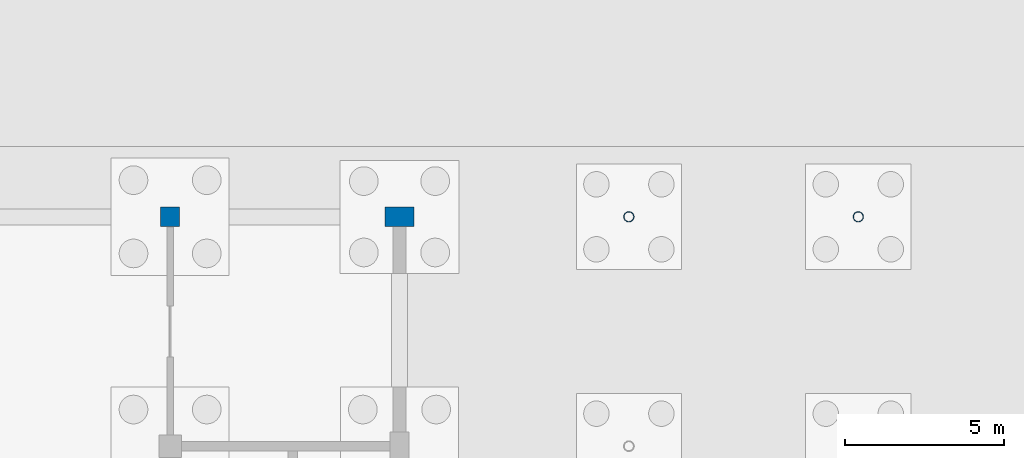
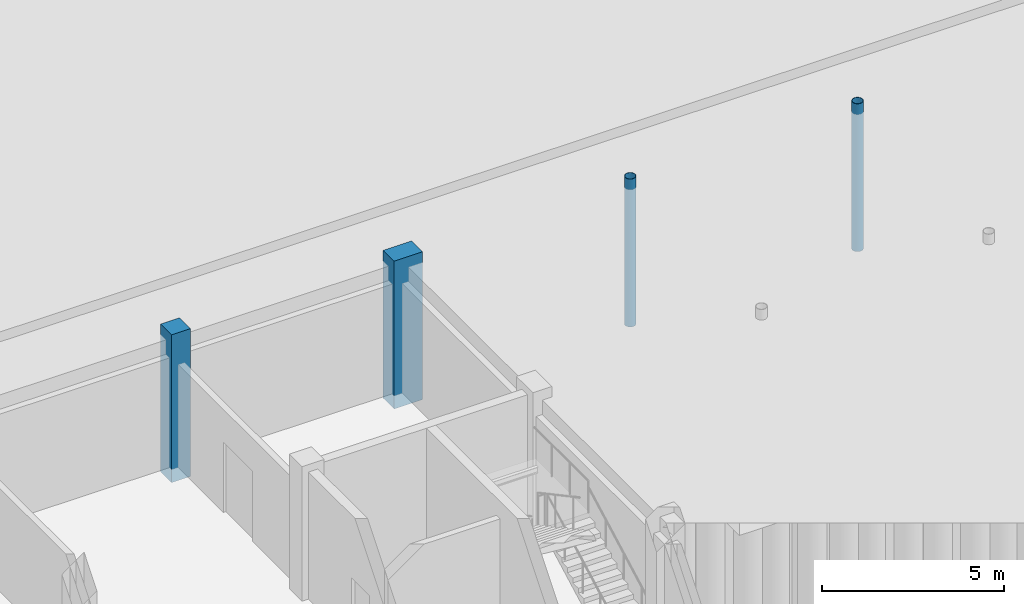
# One storey, part 16 of 51: 4 columns.
"""IFC4 building model written with IfcOpenShell, lengths in metres."""

import ifcopenshell
import ifcopenshell.guid

model = None  # the IFC model being written
_history = None  # IfcOwnerHistory: only IFC2X3 demands one
_inside = {}  # id of a spatial element -> (the spatial element, [elements in it])
_under = {}  # id of a project, library or spatial element -> (it, [spatial elements below it])
_declared = {}  # id of a project -> (the project, [libraries it declares])
_typed = {}  # id of a type object -> (the type object, [elements of that type])
_made_of = {}  # id of a material, layer set ... -> (it, [elements and type objects made of it])


def new_model(schema):
    """Start an empty IFC model of exactly this schema.

    Asked for "IFC4X3", IfcOpenShell would pick the latest addendum, in which some entities
    have other attributes; the version numbers below select the first issue.
    IFC2X3 requires an IfcOwnerHistory on every rooted entity: one is made here for all.
    """
    global model, _history
    if schema == "IFC4X3":
        model = ifcopenshell.file(schema_version=(4, 3, 0, 0))
    else:
        model = ifcopenshell.file(schema=schema)
    _inside.clear()
    _under.clear()
    _declared.clear()
    _typed.clear()
    _made_of.clear()
    _history = None
    if model.schema == "IFC2X3":
        org = make("IfcOrganization", Name="unknown")
        user = make(
            "IfcPersonAndOrganization",
            ThePerson=make("IfcPerson", FamilyName="unknown"),
            TheOrganization=org,
        )
        app = make(
            "IfcApplication",
            ApplicationDeveloper=org,
            Version="unknown",
            ApplicationFullName="unknown",
            ApplicationIdentifier="unknown",
        )
        _history = make(
            "IfcOwnerHistory",
            OwningUser=user,
            OwningApplication=app,
            ChangeAction="ADDED",
            CreationDate=0,
        )
    return model


def make(cls, **values):
    """One entity of the class cls with the attributes given. An attribute that is None is left unset."""
    return model.create_entity(
        cls, **{name: value for name, value in values.items() if value is not None}
    )


def rooted(cls, **values):
    """An entity with a GlobalId (a new one), such as an element, a storey or a relation."""
    return make(cls, GlobalId=ifcopenshell.guid.new(), OwnerHistory=_history, **values)


def si_unit(unit_type, name, prefix=None):
    """IfcSIUnit, for example si_unit("LENGTHUNIT", "METRE", prefix="MILLI")."""
    return make("IfcSIUnit", UnitType=unit_type, Prefix=prefix, Name=name)


def assignment(units):
    """IfcUnitAssignment: the units of a project."""
    return None if units is None else make("IfcUnitAssignment", Units=units)


def point(xyz):
    """IfcCartesianPoint."""
    return None if xyz is None else make("IfcCartesianPoint", Coordinates=xyz)


def direction(xyz):
    """IfcDirection."""
    return None if xyz is None else make("IfcDirection", DirectionRatios=xyz)


def frame(location, z_axis=None, x_axis=None):
    """IfcAxis2Placement3D, a coordinate frame: its origin and axes. An axis left out is left unset."""
    return make(
        "IfcAxis2Placement3D",
        Location=point(location),
        Axis=direction(z_axis),
        RefDirection=direction(x_axis),
    )


def frame_2d(location, x_axis=None):
    """IfcAxis2Placement2D, a coordinate frame in the plane: its origin and x axis."""
    return make(
        "IfcAxis2Placement2D", Location=point(location), RefDirection=direction(x_axis)
    )


def origin():
    """The frame at (0, 0, 0) with its axes left unset."""
    return frame((0.0, 0.0, 0.0))


def origin_2d():
    """The frame at (0, 0) in the plane with its x axis left unset."""
    return frame_2d((0.0, 0.0))


def place(relative_to, where):
    """IfcLocalPlacement: puts the frame where relative to a parent placement (None: the world)."""
    return make(
        "IfcLocalPlacement", PlacementRelTo=relative_to, RelativePlacement=where
    )


def context(
    kind, dimensions, precision=None, world=None, true_north=None, identifier=None
):
    """IfcGeometricRepresentationContext, for example the 3D "Model" context."""
    return make(
        "IfcGeometricRepresentationContext",
        ContextIdentifier=identifier,
        ContextType=kind,
        CoordinateSpaceDimension=dimensions,
        Precision=precision,
        WorldCoordinateSystem=world,
        TrueNorth=true_north,
    )


def subcontext(parent, identifier, kind, view, scale=None):
    """IfcGeometricRepresentationSubContext, for example "Body" below "Model"."""
    return make(
        "IfcGeometricRepresentationSubContext",
        ContextIdentifier=identifier,
        ContextType=kind,
        ParentContext=parent,
        TargetScale=scale,
        TargetView=view,
    )


def project(units=None, contexts=None):
    """IfcProject with its units and contexts."""
    return rooted(
        "IfcProject",
        Name="project",
        RepresentationContexts=contexts,
        UnitsInContext=assignment(units),
    )


def spatial(cls, under=None, at=None, **own):
    """A site, building, storey or space (cls), placed at a placement, below another one or the project."""
    s = rooted(cls, ObjectPlacement=at, **own)
    if under is not None:
        _under.setdefault(under.id(), (under, []))[1].append(s)
    return s


def profile(cls, at=None, kind="AREA", **sizes):
    """A parametric profile (cls). Its sizes go by their IFC names, for example OverallWidth=200.0."""
    return make(cls, ProfileType=kind, Position=at, **sizes)


def rectangle(**sizes):
    """IfcRectangleProfileDef."""
    return profile("IfcRectangleProfileDef", **sizes)


def hollow_circle(**sizes):
    """IfcCircleHollowProfileDef."""
    return profile("IfcCircleHollowProfileDef", **sizes)


def extrude(swept, where, along, depth):
    """IfcExtrudedAreaSolid: the profile swept, set in the frame where, extruded along a direction by depth."""
    return make(
        "IfcExtrudedAreaSolid",
        SweptArea=swept,
        Position=where,
        ExtrudedDirection=direction(along),
        Depth=depth,
    )


def shape(context_of_items, identifier, shape_type, items):
    """IfcShapeRepresentation: the items that make up one representation, for example the "Body"."""
    return make(
        "IfcShapeRepresentation",
        ContextOfItems=context_of_items,
        RepresentationIdentifier=identifier,
        RepresentationType=shape_type,
        Items=items,
    )


def material(Name=None, Category=None):
    """IfcMaterial."""
    return make("IfcMaterial", Name=Name, Category=Category)


def material_profile(
    of_material, cross_section, Name=None, Category=None, Priority=None
):
    """IfcMaterialProfile: a cross section and its material."""
    return make(
        "IfcMaterialProfile",
        Name=Name,
        Material=of_material,
        Profile=cross_section,
        Priority=Priority,
        Category=Category,
    )


def profile_set(profiles, Name=None, composite=None):
    """IfcMaterialProfileSet."""
    return make(
        "IfcMaterialProfileSet",
        Name=Name,
        MaterialProfiles=profiles,
        CompositeProfile=composite,
    )


def made_of(thing, what):
    """Note that an element or type object is made of a material, layer set ...; save() writes the relation."""
    if what is not None:
        _made_of.setdefault(what.id(), (what, []))[1].append(thing)
    return thing


def type_object(cls, material=None, **own):
    """A type object (cls), such as IfcWallType, which elements share."""
    return made_of(rooted(cls, **own), material)


def element(
    cls,
    number,
    at=None,
    inside=None,
    cuts=None,
    type_object=None,
    material=None,
    context=None,
    identifier="Body",
    shape_type=None,
    held_by="IfcProductDefinitionShape",
    body=None,
    shapes=None,
    **own,
):
    """One element of the class cls, such as IfcWall. Its Tag is "e" and its number.

    at: its placement. inside: the storey or other place that contains it. cuts: it is an
    opening in that element (IfcRelVoidsElement). A single representation is given by context,
    identifier, shape_type and body (its items); several are given by shapes. held_by: the class
    of the entity that holds the representations. save() writes the other relations.
    """
    e = rooted(cls, Tag="e%d" % number, ObjectPlacement=at, **own)
    if body is not None:
        shapes = [shape(context, identifier, shape_type, body)]
    if shapes is not None:
        e.Representation = make(held_by, Representations=shapes)
    if inside is not None:
        _inside.setdefault(inside.id(), (inside, []))[1].append(e)
    if cuts is not None:
        rooted(
            "IfcRelVoidsElement", RelatingBuildingElement=cuts, RelatedOpeningElement=e
        )
    if type_object is not None:
        _typed.setdefault(type_object.id(), (type_object, []))[1].append(e)
    return made_of(e, material)


def aggregate(whole, parts):
    """IfcRelAggregates: a whole, such as a stair, and the parts it consists of."""
    return rooted("IfcRelAggregates", RelatingObject=whole, RelatedObjects=parts)


def save(model, path):
    """Write the relations noted so far, then the file.

    IfcRelAggregates (storeys below a building ...), IfcRelContainedInSpatialStructure (elements
    in a storey), IfcRelDefinesByType, IfcRelAssociatesMaterial and IfcRelDeclares: one each for
    every whole, place, type object, material and project.
    """
    for whole, parts in _under.values():
        aggregate(whole, parts)
    for where, things in _inside.values():
        rooted(
            "IfcRelContainedInSpatialStructure",
            RelatedElements=things,
            RelatingStructure=where,
        )
    for kind, things in _typed.values():
        rooted("IfcRelDefinesByType", RelatedObjects=things, RelatingType=kind)
    for what, things in _made_of.values():
        rooted("IfcRelAssociatesMaterial", RelatedObjects=things, RelatingMaterial=what)
    for by, libraries in _declared.values():
        rooted("IfcRelDeclares", RelatingContext=by, RelatedDefinitions=libraries)
    model.write(path)


model = new_model("IFC4")

# Units and contexts
model_context = context("Model", 3, precision=1e-05, world=origin(), true_north=direction((0.0, 1.0)))
body_context = subcontext(model_context, "Body", "Model", "MODEL_VIEW")
ifc_project = project(units=[si_unit("LENGTHUNIT", "METRE"), si_unit("AREAUNIT", "SQUARE_METRE"), si_unit("VOLUMEUNIT", "CUBIC_METRE"), si_unit("PLANEANGLEUNIT", "RADIAN"), si_unit("MASSUNIT", "GRAM", prefix="KILO")], contexts=[model_context])

# Site, building, storey
site_placement = place(None, origin())
site = spatial("IfcSite", under=ifc_project, at=site_placement, CompositionType="ELEMENT")
building_placement = place(site_placement, origin())
building = spatial("IfcBuilding", under=site, at=building_placement, Name="Zlatovets Crest Museum", CompositionType="ELEMENT")
storey_placement = place(building_placement, frame((0.0, 0.0, -4.5)))
storey = spatial("IfcBuildingStorey", under=building, at=storey_placement, Name="B1", CompositionType="ELEMENT", Elevation=-4.5)

# Columns
ifc_material_1 = material(Name="Concrete C35/45", Category="concrete")
ifc_material_profile_1 = material_profile(ifc_material_1, rectangle(XDim=0.60009765625, YDim=0.60009765625, at=origin_2d()), Name="RC 600x600")
ifc_profile_set_1 = profile_set([ifc_material_profile_1], Name="Concrete C35/45")
column_type_1 = type_object("IfcColumnType", Name="Col_C-02", PredefinedType="COLUMN", material=ifc_profile_set_1)
column_1_placement = place(storey_placement, frame((100.800048828125, 28.800048828125, -0.449951171875), z_axis=(0.0, 0.0, 1.0), x_axis=(1.0, 0.0, 0.0)))
element("IfcColumn", 1, at=column_1_placement, inside=storey, type_object=column_type_1, Name="V2 B1 Column (100.8, 28.8)", PredefinedType="COLUMN", context=body_context, shape_type="SweptSolid", body=[
    extrude(rectangle(XDim=0.60009765625, YDim=0.60009765625, at=origin_2d()), origin(), (0.0, 0.0, 1.0), 4.949951171875),
])
ifc_material_profile_2 = material_profile(ifc_material_1, rectangle(XDim=0.60009765625, YDim=0.89990234375, at=origin_2d()), Name="RC 600x900")
ifc_profile_set_2 = profile_set([ifc_material_profile_2], Name="Concrete C35/45")
column_type_2 = type_object("IfcColumnType", Name="Col_C-03", PredefinedType="PILASTER", material=ifc_profile_set_2)
column_2_placement = place(storey_placement, frame((108.0, 28.800048828125, -0.449951171875), z_axis=(0.0, 0.0, 1.0), x_axis=(0.0, 1.0, 0.0)))
element("IfcColumn", 2, at=column_2_placement, inside=storey, type_object=column_type_2, Name="V2 B1 Column (108.0, 28.8)", PredefinedType="PILASTER", context=body_context, shape_type="SweptSolid", body=[
    extrude(rectangle(XDim=0.60009765625, YDim=0.89990234375, at=origin_2d()), origin(), (0.0, 0.0, 1.0), 4.949951171875),
])
ifc_material_2 = material(Name="Structural steel S355J2", Category="steel")
ifc_material_profile_3 = material_profile(ifc_material_2, hollow_circle(Radius=0.161865234375, WallThickness=0.012451171875, at=origin_2d()), Name="CHS 323.9x12.5")
ifc_profile_set_3 = profile_set([ifc_material_profile_3], Name="Structural steel S355J2")
column_type_3 = type_object("IfcColumnType", Name="Col_C-13", PredefinedType="COLUMN", material=ifc_profile_set_3)
for number, where, z_axis, x_axis, name in (
    (3, (115.199951171875, 28.800048828125, -0.449951171875), (0.0, 0.0, 1.0), (1.0, 0.0, 0.0), "Southeast Archive Glazed Link Bridge Portal Column"),
    (4, (122.39990234375, 28.800048828125, -0.449951171875), (0.0, 0.0, 1.0), (1.0, 0.0, 0.0), "Southeast Archive Glazed Link Bridge Portal Column"),
):
    element("IfcColumn", number, at=place(storey_placement, frame(where, z_axis=z_axis, x_axis=x_axis)), inside=storey, type_object=column_type_3, Name=name, PredefinedType="COLUMN", context=body_context, shape_type="SweptSolid", body=[
        extrude(hollow_circle(Radius=0.161865234375, WallThickness=0.012451171875, at=origin_2d()), origin(), (0.0, 0.0, 1.0), 4.949951171875),
    ])

save(model, "model.ifc")
